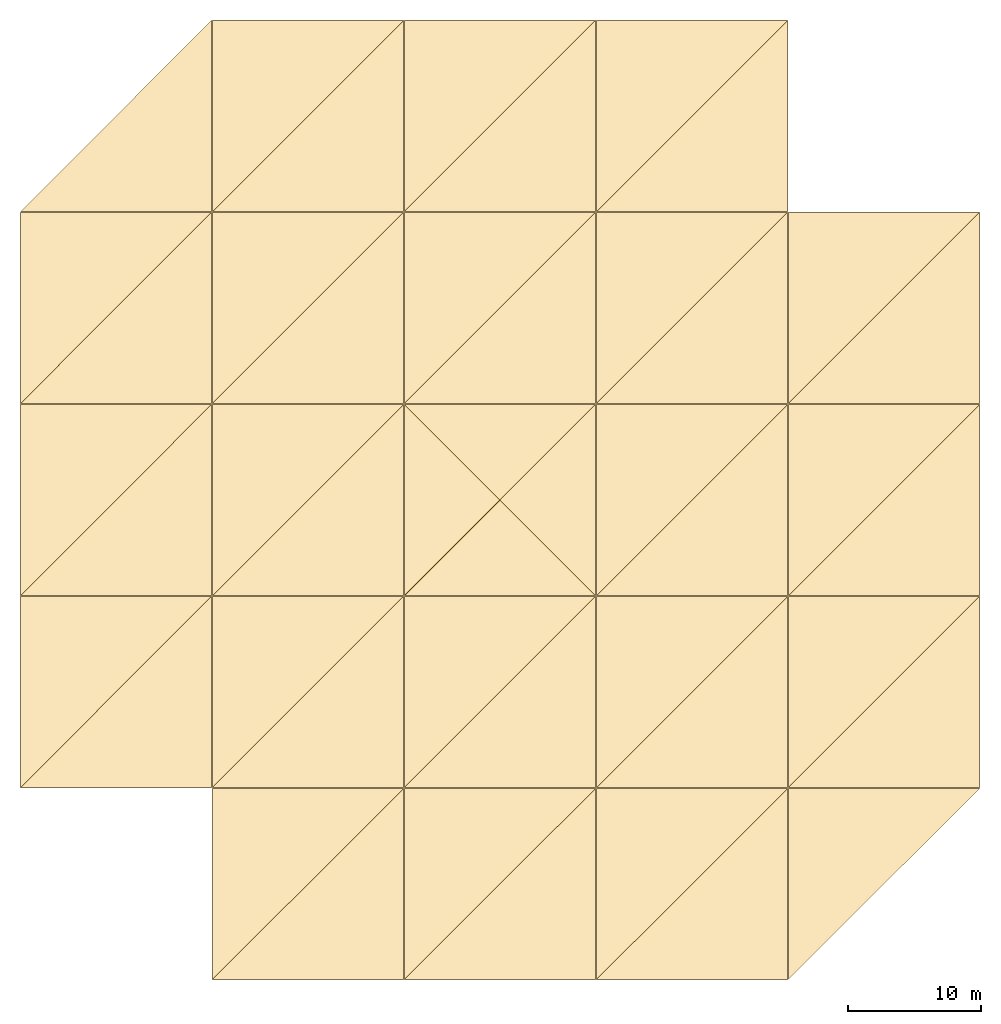
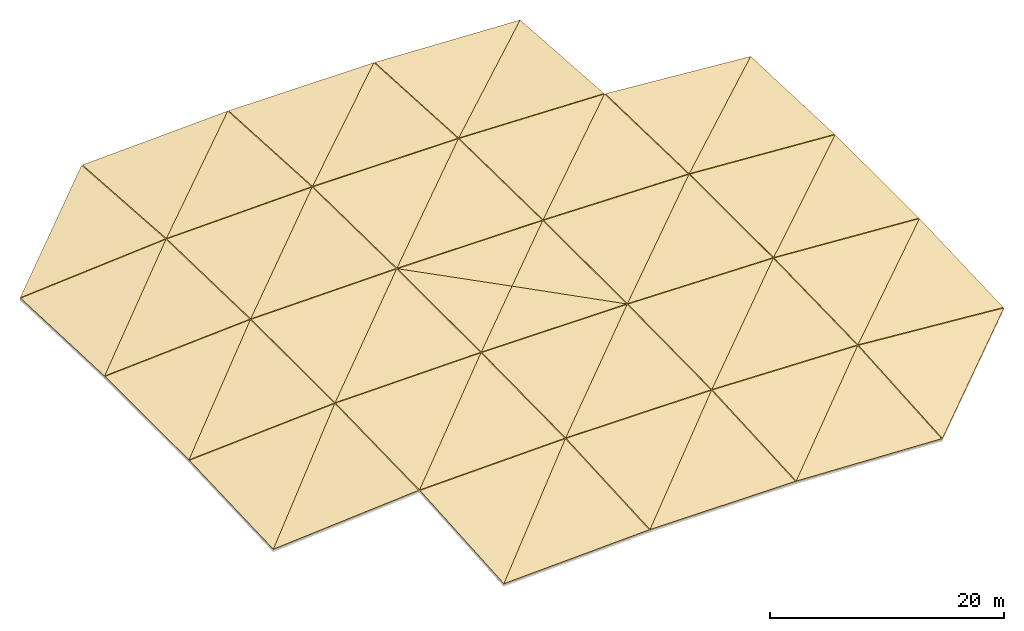
# One storey, part 2 of 2: 46 coverings.
"""IFC4 building model written with IfcOpenShell, lengths in metres."""

from ifc_helpers import new_model, si_unit, direction, frame, origin, place, context, subcontext, project, spatial, polyline, outline, extrude, material, layer, layer_set, type_object, element, save


model = new_model("IFC4")

# Units and contexts
model_context = context("Model", 3, precision=1e-05, world=origin(), true_north=direction((0.0, 1.0)))
body_context = subcontext(model_context, "Body", "Model", "MODEL_VIEW")
ifc_project = project(units=[si_unit("LENGTHUNIT", "METRE"), si_unit("AREAUNIT", "SQUARE_METRE"), si_unit("VOLUMEUNIT", "CUBIC_METRE"), si_unit("PLANEANGLEUNIT", "RADIAN"), si_unit("MASSUNIT", "GRAM", prefix="KILO")], contexts=[model_context])

# Site, building, storey
site_placement = place(None, origin())
site = spatial("IfcSite", under=ifc_project, at=site_placement, CompositionType="ELEMENT")
building_placement = place(site_placement, origin())
building = spatial("IfcBuilding", under=site, at=building_placement, Name="Qandorah Velis Arena", CompositionType="ELEMENT")
storey_placement = place(building_placement, frame((0.0, 0.0, 36.800048828125)))
storey = spatial("IfcBuildingStorey", under=building, at=storey_placement, Name="UPPER ROOF", CompositionType="ELEMENT", Elevation=36.800048828125)

# Coverings
ifc_material = material(Name="Insulated high-albedo standing-seam aluminium roofing", Category="aluminium")
ifc_layer = layer(ifc_material, 0.080078125)
ifc_layer_set = layer_set([ifc_layer], Name="Insulated high-albedo standing-seam aluminium roofing")
covering_type = type_object("IfcCoveringType", Name="ARC-COV-ROOF", PredefinedType="ROOFING", material=ifc_layer_set)
covering_1_placement = place(storey_placement, frame((28.840087890625, 43.239990234375, 0.11474609375), z_axis=(-0.078212249392, -0.024960207593, 0.996624218089), x_axis=(0.996934817632, 0.0, 0.078236624366)))
element("IfcCovering", 1, at=covering_1_placement, inside=storey, type_object=covering_type, Name="Arena vaulted roof covering 1.2A", PredefinedType="ROOFING", context=body_context, shape_type="SweptSolid", body=[
    extrude(outline(polyline([(0.0, 0.0), (14.363852044767933, 6.938893903907228e-18), (14.391911029434343, 14.324531231750539), (0.0, 0.0)])), origin(), (0.0, 0.0, -1.0), 0.054931640625),
])
covering_2_placement = place(storey_placement, frame((28.840087890625, 43.239990234375, 0.11474609375), z_axis=(-0.063414748846, -0.039816302882, 0.997192675291), x_axis=(0.705213887225, 0.705225910512, 0.073005399857)))
element("IfcCovering", 2, at=covering_2_placement, inside=storey, type_object=covering_type, Name="Arena vaulted roof covering 1.2B", PredefinedType="ROOFING", context=body_context, shape_type="SweptSolid", body=[
    extrude(outline(polyline([(0.0, 0.0), (20.305646950751175, -6.106226635438361e-16), (10.14062608094149, 10.127141246893324), (0.0, 0.0)])), origin(), (0.0, 0.0, -1.0), 0.054931640625),
])
covering_3_placement = place(storey_placement, frame((28.840087890625, 57.639892578125, 0.68798828125), z_axis=(-0.063414236651, 0.0, 0.997987291798), x_axis=(0.997987291798, 0.0, 0.063414236651)))
element("IfcCovering", 3, at=covering_3_placement, inside=storey, type_object=covering_type, Name="Arena vaulted roof covering 1.3A", PredefinedType="ROOFING", context=body_context, shape_type="SweptSolid", body=[
    extrude(outline(polyline([(0.0, 0.0), (14.348703972926835, 0.0), (14.348703972926835, 14.320068359374998), (0.0, 0.0)])), origin(), (0.0, 0.0, -1.0), 0.054931640625),
])
covering_4_placement = place(storey_placement, frame((28.840087890625, 57.639892578125, 0.68798828125), z_axis=(-0.063414236651, 0.0, 0.997987291798), x_axis=(0.706388096567, 0.706400139873, 0.044885403142)))
element("IfcCovering", 4, at=covering_4_placement, inside=storey, type_object=covering_type, Name="Arena vaulted roof covering 1.3B", PredefinedType="ROOFING", context=body_context, shape_type="SweptSolid", body=[
    extrude(outline(polyline([(0.0, 0.0), (20.2718934369698, -1.6167622796103842e-15), (10.115698292059767, 10.135926493478141), (0.0, 0.0)])), origin(), (0.0, 0.0, -1.0), 0.054931640625),
])
covering_5_placement = place(storey_placement, frame((28.840087890625, 72.0400390625, 0.6865234375), z_axis=(-0.063445261144, 0.024986461032, 0.997672479125), x_axis=(0.997984060083, 0.0, 0.063465075598)))
element("IfcCovering", 5, at=covering_5_placement, inside=storey, type_object=covering_type, Name="Arena vaulted roof covering 1.4A", PredefinedType="ROOFING", context=body_context, shape_type="SweptSolid", body=[
    extrude(outline(polyline([(0.0, 0.0), (14.348750437518753, 3.469446951953614e-18), (14.325989159185486, 14.324540629291597), (0.0, 0.0)])), origin(), (0.0, 0.0, -1.0), 0.054931640625),
])
covering_6_placement = place(storey_placement, frame((28.840087890625, 72.0400390625, 0.6865234375), z_axis=(-0.078174714252, 0.039774507797, 0.996145924341), x_axis=(0.706838224095, 0.706850275076, 0.027247267444)))
element("IfcCovering", 6, at=covering_6_placement, inside=storey, type_object=covering_type, Name="Arena vaulted roof covering 1.4B", PredefinedType="ROOFING", context=body_context, shape_type="SweptSolid", body=[
    extrude(outline(polyline([(0.0, 0.0), (20.258983923912027, -8.465450562766819e-16), (10.106564888725835, 10.161133465217993), (0.0, 0.0)])), origin(), (0.0, 0.0, -1.0), 0.054931640625),
])
covering_7_placement = place(storey_placement, frame((28.840087890625, 86.43994140625, 0.109619140625), z_axis=(-0.078156462716, 0.071119473178, 0.994401120208), x_axis=(0.99692553079, 0.0, 0.078354872591)))
element("IfcCovering", 7, at=covering_7_placement, inside=storey, type_object=covering_type, Name="Arena vaulted roof covering 1.5A", PredefinedType="ROOFING", context=body_context, shape_type="SweptSolid", body=[
    extrude(outline(polyline([(0.0, 0.0), (14.363985850979182, 0.0), (14.283737147239302, 14.356421629068802), (0.0, 0.0)])), origin(), (0.0, 0.0, -1.0), 0.054931640625),
])
covering_8_placement = place(storey_placement, frame((43.239990234375, 28.840087890625, 0.21630859375), z_axis=(-0.041786341276, -0.056124247944, 0.997548981492), x_axis=(0.999123808251, 0.0, 0.041852309213)))
element("IfcCovering", 8, at=covering_8_placement, inside=storey, type_object=covering_type, Name="Arena vaulted roof covering 2.1A", PredefinedType="ROOFING", context=body_context, shape_type="SweptSolid", body=[
    extrude(outline(polyline([(0.0, 0.0), (14.332626488448678, -6.938893903907228e-18), (14.366345389914006, 14.342430870434308), (0.0, 0.0)])), origin(), (0.0, 0.0, -1.0), 0.054931640625),
])
covering_9_placement = place(storey_placement, frame((43.239990234375, 28.840087890625, 0.21630859375), z_axis=(-0.026672217176, -0.071195124269, 0.997105735171), x_axis=(0.70541592153, 0.705403895003, 0.06923671401)))
element("IfcCovering", 9, at=covering_9_placement, inside=storey, type_object=covering_type, Name="Arena vaulted roof covering 2.1B", PredefinedType="ROOFING", context=body_context, shape_type="SweptSolid", body=[
    extrude(outline(polyline([(0.0, 0.0), (20.300177416355023, -1.3739009929736312e-15), (10.17205161518132, 10.130753079741876), (0.0, 0.0)])), origin(), (0.0, 0.0, -1.0), 0.054931640625),
])
covering_10_placement = place(storey_placement, frame((43.239990234375, 43.239990234375, 1.2421875), z_axis=(-0.026669158551, -0.014467805502, 0.999539613315), x_axis=(0.999644240255, 0.0, 0.026671950149)))
element("IfcCovering", 10, at=covering_10_placement, inside=storey, type_object=covering_type, Name="Arena vaulted roof covering 2.2A", PredefinedType="ROOFING", context=body_context, shape_type="SweptSolid", body=[
    extrude(outline(polyline([(0.0, 0.0), (14.325164676305574, 0.0), (14.330693115191472, 14.321567314407153), (0.0, 0.0)])), origin(), (0.0, 0.0, -1.0), 0.054931640625),
])
covering_11_placement = place(storey_placement, frame((43.239990234375, 43.239990234375, 1.2421875), z_axis=(-0.016172194386, -0.02496550556, 0.999557493925), x_axis=(0.706807545272, 0.706807545272, 0.029089308913)))
element("IfcCovering", 11, at=covering_11_placement, inside=storey, type_object=covering_type, Name="Arena vaulted roof covering 2.2B", PredefinedType="ROOFING", context=body_context, shape_type="SweptSolid", body=[
    extrude(outline(polyline([(0.0, 0.0), (20.26020867372524, 1.3877787807814457e-17), (10.131936622433795, 10.126013187572438), (0.0, 0.0)])), origin(), (0.0, 0.0, -1.0), 0.054931640625),
])
covering_12_placement = place(storey_placement, frame((43.239990234375, 57.639892578125, 1.6005859375), z_axis=(-0.016143152284, 0.0, 0.999869690827), x_axis=(0.999869690827, 0.0, 0.016143152284)))
element("IfcCovering", 12, at=covering_12_placement, inside=storey, type_object=covering_type, Name="Arena vaulted roof covering 2.3A", PredefinedType="ROOFING", context=body_context, shape_type="SweptSolid", body=[
    extrude(outline(polyline([(0.0, 0.0), (14.321934638834566, 0.0), (14.321934638834566, 14.320068359375), (0.0, 0.0)])), origin(), (0.0, 0.0, -1.0), 0.054931640625),
])
covering_13_placement = place(storey_placement, frame((43.239990234375, 57.639892578125, 1.6005859375), z_axis=(-0.016143152284, 0.0, 0.999869690827), x_axis=(0.707060705434, 0.707060705434, 0.011415676209)))
element("IfcCovering", 13, at=covering_13_placement, inside=storey, type_object=covering_type, Name="Arena vaulted roof covering 2.3B", PredefinedType="ROOFING", context=body_context, shape_type="SweptSolid", body=[
    extrude(outline(polyline([(0.0, 0.0), (20.252954589793124, 9.159339953157541e-16), (10.125157636037915, 10.126477208909133), (0.0, 0.0)])), origin(), (0.0, 0.0, -1.0), 0.054931640625),
])
covering_14_placement = place(storey_placement, frame((43.239990234375, 72.0400390625, 1.599853515625), z_axis=(-0.016175542679, 0.014471059783, 0.99976444238), x_axis=(0.999869139946, 0.0, 0.016177236618)))
element("IfcCovering", 14, at=covering_14_placement, inside=storey, type_object=covering_type, Name="Arena vaulted roof covering 2.4A", PredefinedType="ROOFING", context=body_context, shape_type="SweptSolid", body=[
    extrude(outline(polyline([(0.0, 0.0), (14.321942529554516, -4.336808689942018e-19), (14.31858938651536, 14.3215679889167), (0.0, 0.0)])), origin(), (0.0, 0.0, -1.0), 0.054931640625),
])
covering_15_placement = place(storey_placement, frame((43.239990234375, 72.0400390625, 1.599853515625), z_axis=(-0.026663640592, 0.024959893589, 0.999332804416), x_axis=(0.707106267362, 0.707106267362, 0.001205534511)))
element("IfcCovering", 15, at=covering_15_placement, inside=storey, type_object=covering_type, Name="Arena vaulted roof covering 2.4B", PredefinedType="ROOFING", context=body_context, shape_type="SweptSolid", body=[
    extrude(outline(polyline([(0.0, 0.0), (20.25164960394076, 1.6588293239028218e-16), (10.125378907247724, 10.132570492257578), (0.0, 0.0)])), origin(), (0.0, 0.0, -1.0), 0.054931640625),
])
covering_16_placement = place(storey_placement, frame((43.239990234375, 86.43994140625, 1.23876953125), z_axis=(-0.026697882446, 0.056152334017, 0.998065197498), x_axis=(0.999642420327, 0.0, 0.026740072585)))
element("IfcCovering", 16, at=covering_16_placement, inside=storey, type_object=covering_type, Name="Arena vaulted roof covering 2.5A", PredefinedType="ROOFING", context=body_context, shape_type="SweptSolid", body=[
    extrude(outline(polyline([(0.0, 0.0), (14.325190756394832, 0.0), (14.303647240884173, 14.34269808215025), (0.0, 0.0)])), origin(), (0.0, 0.0, -1.0), 0.054931640625),
])
covering_17_placement = place(storey_placement, frame((43.239990234375, 86.43994140625, 1.23876953125), z_axis=(-0.041746218458, 0.071157168459, 0.996591145165), x_axis=(0.706952871038, 0.706952871038, -0.02086327542)))
element("IfcCovering", 17, at=covering_17_placement, inside=storey, type_object=covering_type, Name="Arena vaulted roof covering 2.5B", PredefinedType="ROOFING", context=body_context, shape_type="SweptSolid", body=[
    extrude(outline(polyline([(0.0, 0.0), (20.256043855288475, 1.0408340855860843e-16), (10.144945324271035, 10.15824141047247), (0.0, 0.0)])), origin(), (0.0, 0.0, -1.0), 0.054931640625),
])
covering_18_placement = place(storey_placement, frame((57.639892578125, 28.840087890625, 0.817626953125), z_axis=(0.0, -0.056122405705, 0.998423895737), x_axis=(1.0, 0.0, 0.0)))
element("IfcCovering", 18, at=covering_18_placement, inside=storey, type_object=covering_type, Name="Arena vaulted roof covering 3.1A", PredefinedType="ROOFING", context=body_context, shape_type="SweptSolid", body=[
    extrude(outline(polyline([(0.0, 0.0), (14.320068359375, 0.0), (14.320068359375, 14.342429382847882), (0.0, 0.0)])), origin(), (0.0, 0.0, -1.0), 0.054931640625),
])
covering_19_placement = place(storey_placement, frame((57.639892578125, 28.840087890625, 0.817626953125), z_axis=(0.0, -0.056122405705, 0.998423895737), x_axis=(0.706554917411, 0.706542871465, 0.03971548142)))
element("IfcCovering", 19, at=covering_19_placement, inside=storey, type_object=covering_type, Name="Arena vaulted roof covering 3.1B", PredefinedType="ROOFING", context=body_context, shape_type="SweptSolid", body=[
    extrude(outline(polyline([(0.0, 0.0), (20.267452686984402, -4.718447854656915e-16), (10.149537970012414, 10.13371400806509), (0.0, 0.0)])), origin(), (0.0, 0.0, -1.0), 0.054931640625),
])
covering_20_placement = place(storey_placement, frame((57.639892578125, 43.239990234375, 1.625), z_axis=(0.0, -0.014438866316, 0.999895754136), x_axis=(1.0, 0.0, 0.0)))
element("IfcCovering", 20, at=covering_20_placement, inside=storey, type_object=covering_type, Name="Arena vaulted roof covering 3.2A", PredefinedType="ROOFING", context=body_context, shape_type="SweptSolid", body=[
    extrude(outline(polyline([(0.0, 0.0), (14.320068359375, 0.0), (14.320068359375, 14.321561322906685), (0.0, 0.0)])), origin(), (0.0, 0.0, -1.0), 0.054931640625),
])
covering_21_placement = place(storey_placement, frame((57.639892578125, 43.239990234375, 1.625), z_axis=(0.0, -0.014438866316, 0.999895754136), x_axis=(0.707069921826, 0.707069921826, 0.010210352464)))
element("IfcCovering", 21, at=covering_21_placement, inside=storey, type_object=covering_type, Name="Arena vaulted roof covering 3.2B", PredefinedType="ROOFING", context=body_context, shape_type="SweptSolid", body=[
    extrude(outline(polyline([(0.0, 0.0), (20.252690600089405, 9.827208491408612e-16), (10.127400984680586, 10.126345245016456), (0.0, 0.0)])), origin(), (0.0, 0.0, -1.0), 0.054931640625),
])
covering_22_placement = place(storey_placement, frame((57.639892578125, 57.639892578125, 1.83203125), z_axis=(0.0, -0.002489081215, 0.999996902233), x_axis=(1.0, 0.0, 0.0)))
element("IfcCovering", 22, at=covering_22_placement, inside=storey, type_object=covering_type, Name="Arena vaulted crown roof covering S", PredefinedType="ROOFING", context=body_context, shape_type="SweptSolid", body=[
    extrude(outline(polyline([(0.0, 0.0), (14.320068359375, 0.0), (7.16015625, 7.160178430567641), (0.0, 0.0)])), origin(), (0.0, 0.0, -1.0), 0.054931640625),
])
covering_23_placement = place(storey_placement, frame((71.9599609375, 57.639892578125, 1.83203125), z_axis=(0.002489166087, 0.0, 0.999996902021), x_axis=(0.0, 1.0, 0.0)))
element("IfcCovering", 23, at=covering_23_placement, inside=storey, type_object=covering_type, Name="Arena vaulted crown roof covering E", PredefinedType="ROOFING", context=body_context, shape_type="SweptSolid", body=[
    extrude(outline(polyline([(0.0, 0.0), (14.320068359375, 0.0), (7.16015625, 7.159934290698957), (0.0, 0.0)])), origin(), (0.0, 0.0, -1.0), 0.054931640625),
])
covering_24_placement = place(storey_placement, frame((71.9599609375, 71.9599609375, 1.83203125), z_axis=(0.0, 0.002489166087, 0.999996902021), x_axis=(-1.0, 0.0, 0.0)))
element("IfcCovering", 24, at=covering_24_placement, inside=storey, type_object=covering_type, Name="Arena vaulted crown roof covering N", PredefinedType="ROOFING", context=body_context, shape_type="SweptSolid", body=[
    extrude(outline(polyline([(0.0, 0.0), (14.320068359375, 0.0), (7.159912109375, 7.159934290698957), (0.0, 0.0)])), origin(), (0.0, 0.0, -1.0), 0.054931640625),
])
covering_25_placement = place(storey_placement, frame((57.639892578125, 71.9599609375, 1.83203125), z_axis=(-0.002489081215, 0.0, 0.999996902233), x_axis=(0.0, -1.0, 0.0)))
element("IfcCovering", 25, at=covering_25_placement, inside=storey, type_object=covering_type, Name="Arena vaulted crown roof covering W", PredefinedType="ROOFING", context=body_context, shape_type="SweptSolid", body=[
    extrude(outline(polyline([(0.0, 0.0), (14.320068359375, 0.0), (7.159912109375, 7.160178430567641), (0.0, 0.0)])), origin(), (0.0, 0.0, -1.0), 0.054931640625),
])
covering_26_placement = place(storey_placement, frame((57.639892578125, 72.0400390625, 1.831787109375), z_axis=(0.0, 0.014438866316, 0.999895754136), x_axis=(1.0, 0.0, 0.0)))
element("IfcCovering", 26, at=covering_26_placement, inside=storey, type_object=covering_type, Name="Arena vaulted roof covering 3.4A", PredefinedType="ROOFING", context=body_context, shape_type="SweptSolid", body=[
    extrude(outline(polyline([(0.0, 0.0), (14.320068359375, 0.0), (14.320068359375, 14.321561322906685), (0.0, 0.0)])), origin(), (0.0, 0.0, -1.0), 0.054931640625),
])
covering_27_placement = place(storey_placement, frame((57.639892578125, 72.0400390625, 1.831787109375), z_axis=(0.0, 0.014438866316, 0.999895754136), x_axis=(0.707069921826, 0.707069921826, -0.010210352464)))
element("IfcCovering", 27, at=covering_27_placement, inside=storey, type_object=covering_type, Name="Arena vaulted roof covering 3.4B", PredefinedType="ROOFING", context=body_context, shape_type="SweptSolid", body=[
    extrude(outline(polyline([(0.0, 0.0), (20.252690600089405, 9.827208491408612e-16), (10.127400984680586, 10.126345245016456), (0.0, 0.0)])), origin(), (0.0, 0.0, -1.0), 0.054931640625),
])
covering_28_placement = place(storey_placement, frame((57.639892578125, 86.43994140625, 1.62255859375), z_axis=(0.0, 0.056121451897, 0.998423949351), x_axis=(1.0, 0.0, 0.0)))
element("IfcCovering", 28, at=covering_28_placement, inside=storey, type_object=covering_type, Name="Arena vaulted roof covering 3.5A", PredefinedType="ROOFING", context=body_context, shape_type="SweptSolid", body=[
    extrude(outline(polyline([(0.0, 0.0), (14.320068359375, 0.0), (14.320068359375, 14.342673138688347), (0.0, 0.0)])), origin(), (0.0, 0.0, -1.0), 0.054931640625),
])
covering_29_placement = place(storey_placement, frame((57.639892578125, 86.43994140625, 1.62255859375), z_axis=(0.0, 0.056121451897, 0.998423949351), x_axis=(0.706548903964, 0.706548903964, -0.039715143404)))
element("IfcCovering", 29, at=covering_29_placement, inside=storey, type_object=covering_type, Name="Arena vaulted roof covering 3.5B", PredefinedType="ROOFING", context=body_context, shape_type="SweptSolid", body=[
    extrude(outline(polyline([(0.0, 0.0), (20.267625183539025, -3.677613769070831e-16), (10.149796579538476, 10.133799986048734), (0.0, 0.0)])), origin(), (0.0, 0.0, -1.0), 0.054931640625),
])
covering_30_placement = place(storey_placement, frame((72.0400390625, 28.840087890625, 0.816162109375), z_axis=(0.041746214854, -0.071158375484, 0.996591059133), x_axis=(0.999123808251, 0.0, -0.041852309213)))
element("IfcCovering", 30, at=covering_30_placement, inside=storey, type_object=covering_type, Name="Arena vaulted roof covering 4.1A", PredefinedType="ROOFING", context=body_context, shape_type="SweptSolid", body=[
    extrude(outline(polyline([(0.0, 0.0), (14.332626488448678, 6.938893903907228e-18), (14.2898341371345, 14.356216801068497), (0.0, 0.0)])), origin(), (0.0, 0.0, -1.0), 0.054931640625),
])
covering_31_placement = place(storey_placement, frame((72.0400390625, 28.840087890625, 0.816162109375), z_axis=(0.026697881011, -0.056153288347, 0.998065143845), x_axis=(0.706958894806, 0.706946841973, 0.020863453191)))
element("IfcCovering", 31, at=covering_31_placement, inside=storey, type_object=covering_type, Name="Arena vaulted roof covering 4.1B", PredefinedType="ROOFING", context=body_context, shape_type="SweptSolid", body=[
    extrude(outline(polyline([(0.0, 0.0), (20.25587126010866, -1.3426759704060487e-15), (10.140163443512511, 10.143152644831662), (0.0, 0.0)])), origin(), (0.0, 0.0, -1.0), 0.054931640625),
])
covering_32_placement = place(storey_placement, frame((72.0400390625, 43.239990234375, 1.624267578125), z_axis=(0.026663640592, -0.024959893589, 0.999332804416), x_axis=(0.999644240255, 0.0, -0.026671950149)))
element("IfcCovering", 32, at=covering_32_placement, inside=storey, type_object=covering_type, Name="Arena vaulted roof covering 4.2A", PredefinedType="ROOFING", context=body_context, shape_type="SweptSolid", body=[
    extrude(outline(polyline([(0.0, 0.0), (14.325164676305574, 1.734723475976807e-18), (14.315625026166774, 14.324531119411247), (0.0, 0.0)])), origin(), (0.0, 0.0, -1.0), 0.054931640625),
])
covering_33_placement = place(storey_placement, frame((72.0400390625, 43.239990234375, 1.624267578125), z_axis=(0.016175542679, -0.014471059783, 0.99976444238), x_axis=(0.707106267362, 0.707106267362, -0.001205534511)))
element("IfcCovering", 33, at=covering_33_placement, inside=storey, type_object=covering_type, Name="Arena vaulted roof covering 4.2B", PredefinedType="ROOFING", context=body_context, shape_type="SweptSolid", body=[
    extrude(outline(polyline([(0.0, 0.0), (20.25164960394076, 2.096955421804214e-15), (10.125560208336275, 10.128195859682457), (0.0, 0.0)])), origin(), (0.0, 0.0, -1.0), 0.054931640625),
])
covering_34_placement = place(storey_placement, frame((72.0400390625, 57.639892578125, 1.831787109375), z_axis=(0.016143152284, 0.0, 0.999869690827), x_axis=(0.999869690827, 0.0, -0.016143152284)))
element("IfcCovering", 34, at=covering_34_placement, inside=storey, type_object=covering_type, Name="Arena vaulted roof covering 4.3A", PredefinedType="ROOFING", context=body_context, shape_type="SweptSolid", body=[
    extrude(outline(polyline([(0.0, 0.0), (14.321934638834566, 0.0), (14.321934638834566, 14.320068359375), (0.0, 0.0)])), origin(), (0.0, 0.0, -1.0), 0.054931640625),
])
covering_35_placement = place(storey_placement, frame((72.0400390625, 57.639892578125, 1.831787109375), z_axis=(0.016143152284, 0.0, 0.999869690827), x_axis=(0.707060705434, 0.707060705434, -0.011415676209)))
element("IfcCovering", 35, at=covering_35_placement, inside=storey, type_object=covering_type, Name="Arena vaulted roof covering 4.3B", PredefinedType="ROOFING", context=body_context, shape_type="SweptSolid", body=[
    extrude(outline(polyline([(0.0, 0.0), (20.252954589793124, 9.159339953157541e-16), (10.125157636037915, 10.126477208909133), (0.0, 0.0)])), origin(), (0.0, 0.0, -1.0), 0.054931640625),
])
covering_36_placement = place(storey_placement, frame((72.0400390625, 72.0400390625, 1.83154296875), z_axis=(0.016172194386, 0.02496550556, 0.999557493925), x_axis=(0.999869139946, 0.0, -0.016177236618)))
element("IfcCovering", 36, at=covering_36_placement, inside=storey, type_object=covering_type, Name="Arena vaulted roof covering 4.4A", PredefinedType="ROOFING", context=body_context, shape_type="SweptSolid", body=[
    extrude(outline(polyline([(0.0, 0.0), (14.321942529554516, 0.0), (14.327728577319373, 14.324533127385248), (0.0, 0.0)])), origin(), (0.0, 0.0, -1.0), 0.054931640625),
])
covering_37_placement = place(storey_placement, frame((72.0400390625, 72.0400390625, 1.83154296875), z_axis=(0.026669158551, 0.014467805502, 0.999539613315), x_axis=(0.706807545272, 0.706807545272, -0.029089308913)))
element("IfcCovering", 37, at=covering_37_placement, inside=storey, type_object=covering_type, Name="Arena vaulted roof covering 4.4B", PredefinedType="ROOFING", context=body_context, shape_type="SweptSolid", body=[
    extrude(outline(polyline([(0.0, 0.0), (20.26020867372524, 9.792514021889076e-16), (10.127561863085566, 10.126194330255894), (0.0, 0.0)])), origin(), (0.0, 0.0, -1.0), 0.054931640625),
])
covering_38_placement = place(storey_placement, frame((72.0400390625, 86.43994140625, 1.621826171875), z_axis=(0.026672219481, 0.071193916627, 0.997105821337), x_axis=(0.999642420327, 0.0, -0.026740072585)))
element("IfcCovering", 38, at=covering_38_placement, inside=storey, type_object=covering_type, Name="Arena vaulted roof covering 4.5A", PredefinedType="ROOFING", context=body_context, shape_type="SweptSolid", body=[
    extrude(outline(polyline([(0.0, 0.0), (14.325190756394832, 0.0), (14.352531436079268, 14.356498064399993), (0.0, 0.0)])), origin(), (0.0, 0.0, -1.0), 0.054931640625),
])
covering_39_placement = place(storey_placement, frame((72.0400390625, 86.43994140625, 1.621826171875), z_axis=(0.04178634352, 0.056123294105, 0.997549035062), x_axis=(0.705409937117, 0.705409937117, -0.069236126639)))
element("IfcCovering", 39, at=covering_39_placement, inside=storey, type_object=covering_type, Name="Arena vaulted roof covering 4.5B", PredefinedType="ROOFING", context=body_context, shape_type="SweptSolid", body=[
    extrude(outline(polyline([(0.0, 0.0), (20.30034963484039, -1.8041124150158794e-16), (10.15729957996369, 10.126337819846151), (0.0, 0.0)])), origin(), (0.0, 0.0, -1.0), 0.054931640625),
])
covering_40_placement = place(storey_placement, frame((86.43994140625, 28.840087890625, 0.2109375), z_axis=(0.078155131638, -0.071120686977, 0.994401138013), x_axis=(0.707103959484, 0.707091904178, -0.005002951891)))
element("IfcCovering", 40, at=covering_40_placement, inside=storey, type_object=covering_type, Name="Arena vaulted roof covering 5.1B", PredefinedType="ROOFING", context=body_context, shape_type="SweptSolid", body=[
    extrude(outline(polyline([(0.0, 0.0), (20.251715702207026, -2.706168622523819e-16), (10.120307901485981, 10.182615462831388), (0.0, 0.0)])), origin(), (0.0, 0.0, -1.0), 0.054931640625),
])
covering_41_placement = place(storey_placement, frame((86.43994140625, 43.239990234375, 1.238525390625), z_axis=(0.078173389608, -0.039774511941, 0.996146028129), x_axis=(0.996934921667, 0.0, -0.078235298686)))
element("IfcCovering", 41, at=covering_41_placement, inside=storey, type_object=covering_type, Name="Arena vaulted roof covering 5.2A", PredefinedType="ROOFING", context=body_context, shape_type="SweptSolid", body=[
    extrude(outline(polyline([(0.0, 0.0), (14.364095437070095, 0.0), (14.31936226579986, 14.331409075571981), (0.0, 0.0)])), origin(), (0.0, 0.0, -1.0), 0.054931640625),
])
covering_42_placement = place(storey_placement, frame((86.43994140625, 43.239990234375, 1.238525390625), z_axis=(0.063444183829, -0.024986462747, 0.997672547591), x_axis=(0.706844254085, 0.706844254085, -0.027247035351)))
element("IfcCovering", 42, at=covering_42_placement, inside=storey, type_object=covering_type, Name="Arena vaulted roof covering 5.2B", PredefinedType="ROOFING", context=body_context, shape_type="SweptSolid", body=[
    extrude(outline(polyline([(0.0, 0.0), (20.25915649257392, 9.506284648352903e-16), (10.112286090917404, 10.145671605736881), (0.0, 0.0)])), origin(), (0.0, 0.0, -1.0), 0.054931640625),
])
covering_43_placement = place(storey_placement, frame((86.43994140625, 57.639892578125, 1.597900390625), z_axis=(0.063413159859, 0.0, 0.997987360219), x_axis=(0.997987360219, 0.0, -0.063413159859)))
element("IfcCovering", 43, at=covering_43_placement, inside=storey, type_object=covering_type, Name="Arena vaulted roof covering 5.3A", PredefinedType="ROOFING", context=body_context, shape_type="SweptSolid", body=[
    extrude(outline(polyline([(0.0, 0.0), (14.348947622176347, 0.0), (14.348947622176347, 14.320068359375), (0.0, 0.0)])), origin(), (0.0, 0.0, -1.0), 0.054931640625),
])
covering_44_placement = place(storey_placement, frame((86.43994140625, 57.639892578125, 1.597900390625), z_axis=(0.063413159859, 0.0, 0.997987360219), x_axis=(0.706394130377, 0.706394130377, -0.044885021293)))
element("IfcCovering", 44, at=covering_44_placement, inside=storey, type_object=covering_type, Name="Arena vaulted roof covering 5.3B", PredefinedType="ROOFING", context=body_context, shape_type="SweptSolid", body=[
    extrude(outline(polyline([(0.0, 0.0), (20.272065895737747, -9.43689570931383e-16), (10.115612235667031, 10.136012377399531), (0.0, 0.0)])), origin(), (0.0, 0.0, -1.0), 0.054931640625),
])
covering_45_placement = place(storey_placement, frame((86.43994140625, 72.0400390625, 1.59716796875), z_axis=(0.063413672046, 0.039816305612, 0.997192743658), x_axis=(0.997984128613, 0.0, -0.06346399795)))
element("IfcCovering", 45, at=covering_45_placement, inside=storey, type_object=covering_type, Name="Arena vaulted roof covering 5.4A", PredefinedType="ROOFING", context=body_context, shape_type="SweptSolid", body=[
    extrude(outline(polyline([(0.0, 0.0), (14.348994085979287, -1.3877787807814457e-17), (14.385281362150609, 14.33143294934554), (0.0, 0.0)])), origin(), (0.0, 0.0, -1.0), 0.054931640625),
])
covering_46_placement = place(storey_placement, frame((86.43994140625, 72.0400390625, 1.59716796875), z_axis=(0.078210924121, 0.024960210196, 0.996624322027), x_axis=(0.705219930934, 0.705219930934, -0.073004780848)))
element("IfcCovering", 46, at=covering_46_placement, inside=storey, type_object=covering_type, Name="Arena vaulted roof covering 5.4B", PredefinedType="ROOFING", context=body_context, shape_type="SweptSolid", body=[
    extrude(outline(polyline([(0.0, 0.0), (20.305819122848124, 8.881784197001252e-16), (10.124980242188562, 10.133003375668462), (0.0, 0.0)])), origin(), (0.0, 0.0, -1.0), 0.054931640625),
])

save(model, "model.ifc")
